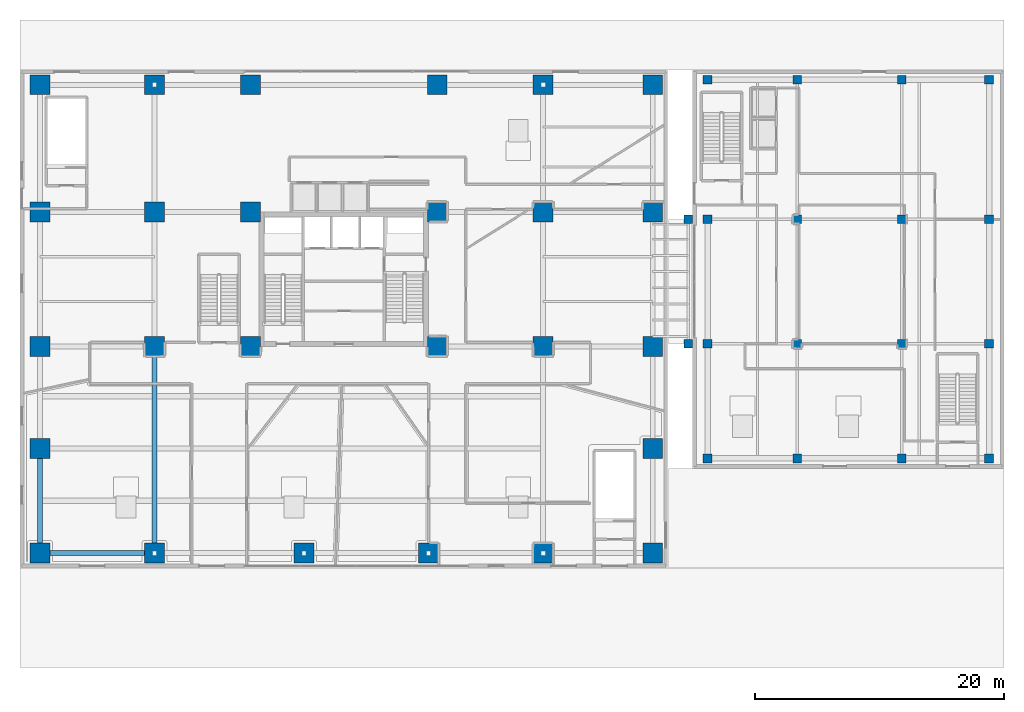
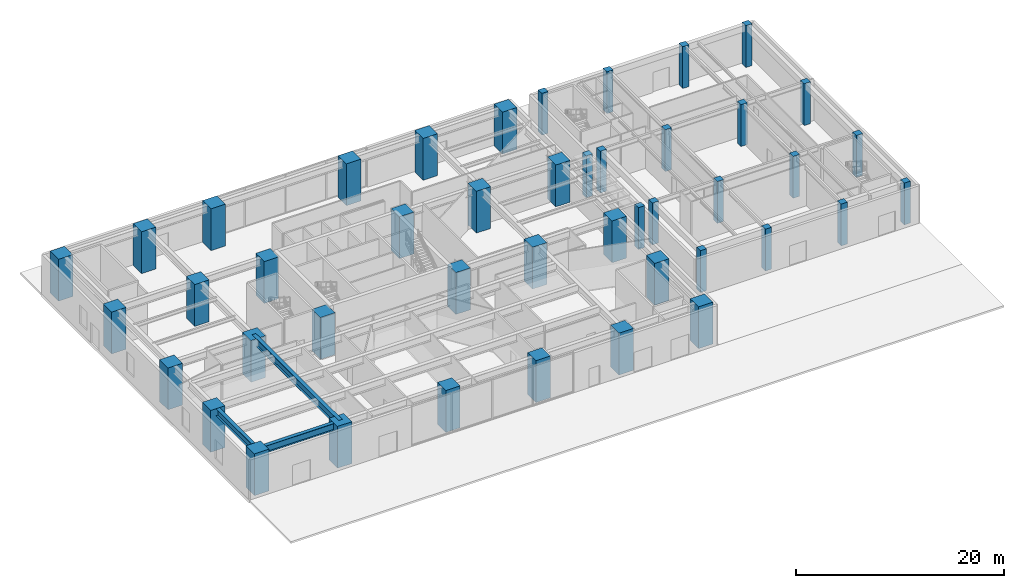
# One storey, part 1 of 28: 44 columns, 3 beams.
"""IFC4 building model written with IfcOpenShell, lengths in metres."""

from ifc_helpers import new_model, si_unit, direction, frame, origin, origin_2d, place, context, subcontext, project, spatial, rectangle, i_section, extrude, material, material_profile, profile_set, type_object, element, save


model = new_model("IFC4")

# Units and contexts
model_context = context("Model", 3, precision=1e-05, world=origin(), true_north=direction((0.0, 1.0)))
body_context = subcontext(model_context, "Body", "Model", "MODEL_VIEW")
ifc_project = project(units=[si_unit("LENGTHUNIT", "METRE"), si_unit("AREAUNIT", "SQUARE_METRE"), si_unit("VOLUMEUNIT", "CUBIC_METRE"), si_unit("PLANEANGLEUNIT", "RADIAN"), si_unit("MASSUNIT", "GRAM", prefix="KILO")], contexts=[model_context])

# Site, building, storey
site_placement = place(None, origin())
site = spatial("IfcSite", under=ifc_project, at=site_placement, CompositionType="ELEMENT")
building_placement = place(site_placement, origin())
building = spatial("IfcBuilding", under=site, at=building_placement, Name="Talar Marvaseh", CompositionType="ELEMENT")
storey_placement = place(building_placement, origin())
storey = spatial("IfcBuildingStorey", under=building, at=storey_placement, Name="L00", CompositionType="ELEMENT", Elevation=0.0)

# Columns
ifc_material_1 = material(Name="Concrete C40/50", Category="concrete")
ifc_material_profile_1 = material_profile(ifc_material_1, rectangle(XDim=0.699951171875, YDim=0.699951171875, at=origin_2d()), Name="RC700x700")
ifc_profile_set_1 = profile_set([ifc_material_profile_1], Name="Concrete C40/50")
column_type_1 = type_object("IfcColumnType", Name="Market Hall Column RC700x700", PredefinedType="COLUMN", material=ifc_profile_set_1)
for number, where, z_axis, x_axis, name in (
    (1, (55.199951171875, 16.800048828125, 0.0), (0.0, 0.0, 1.0), (1.0, 0.0, 0.0), "L00 Market Hall Column RC700x700"),
    (2, (55.199951171875, 26.0, 0.0), (0.0, 0.0, 1.0), (1.0, 0.0, 0.0), "L00 Market Hall Column RC700x700"),
    (3, (55.199951171875, 36.0, 0.0), (0.0, 0.0, 1.0), (1.0, 0.0, 0.0), "L00 Market Hall Column RC700x700"),
    (4, (55.199951171875, 47.199951171875, 0.0), (0.0, 0.0, 1.0), (1.0, 0.0, 0.0), "L00 Market Hall Column RC700x700"),
    (5, (62.39990234375, 16.800048828125, 0.0), (0.0, 0.0, 1.0), (1.0, 0.0, 0.0), "L00 Market Hall Column RC700x700"),
    (6, (62.39990234375, 26.0, 0.0), (0.0, 0.0, 1.0), (1.0, 0.0, 0.0), "L00 Market Hall Column RC700x700"),
    (7, (62.39990234375, 36.0, 0.0), (0.0, 0.0, 1.0), (1.0, 0.0, 0.0), "L00 Market Hall Column RC700x700"),
    (8, (62.39990234375, 47.199951171875, 0.0), (0.0, 0.0, 1.0), (1.0, 0.0, 0.0), "L00 Market Hall Column RC700x700"),
    (9, (70.800048828125, 16.800048828125, 0.0), (0.0, 0.0, 1.0), (1.0, 0.0, 0.0), "L00 Market Hall Column RC700x700"),
    (10, (70.800048828125, 26.0, 0.0), (0.0, 0.0, 1.0), (1.0, 0.0, 0.0), "L00 Market Hall Column RC700x700"),
    (11, (70.800048828125, 36.0, 0.0), (0.0, 0.0, 1.0), (1.0, 0.0, 0.0), "L00 Market Hall Column RC700x700"),
    (12, (70.800048828125, 47.199951171875, 0.0), (0.0, 0.0, 1.0), (1.0, 0.0, 0.0), "L00 Market Hall Column RC700x700"),
    (13, (77.800048828125, 16.800048828125, 0.0), (0.0, 0.0, 1.0), (1.0, 0.0, 0.0), "L00 Market Hall Column RC700x700"),
    (14, (77.800048828125, 26.0, 0.0), (0.0, 0.0, 1.0), (1.0, 0.0, 0.0), "L00 Market Hall Column RC700x700"),
    (15, (77.800048828125, 36.0, 0.0), (0.0, 0.0, 1.0), (1.0, 0.0, 0.0), "L00 Market Hall Column RC700x700"),
    (16, (77.800048828125, 47.199951171875, 0.0), (0.0, 0.0, 1.0), (1.0, 0.0, 0.0), "L00 Market Hall Column RC700x700"),
    (17, (53.64990234375, 26.0, 0.0), (0.0, 0.0, 1.0), (1.0, 0.0, 0.0), "L00 Link Plaza Support Pier 1"),
    (18, (53.64990234375, 36.0, 0.0), (0.0, 0.0, 1.0), (1.0, 0.0, 0.0), "L00 Link Plaza Support Pier 2"),
):
    element("IfcColumn", number, at=place(storey_placement, frame(where, z_axis=z_axis, x_axis=x_axis)), inside=storey, type_object=column_type_1, Name=name, PredefinedType="COLUMN", context=body_context, shape_type="SweptSolid", body=[
        extrude(rectangle(XDim=0.699951171875, YDim=0.699951171875, at=origin_2d()), origin(), (0.0, 0.0, 1.0), 4.89990234375),
    ])
ifc_material_2 = material(Name="Concrete C70/85", Category="concrete")
ifc_material_profile_2 = material_profile(ifc_material_2, rectangle(XDim=1.60009765625, YDim=1.60009765625, at=origin_2d()), Name="RC1600x1600")
ifc_profile_set_2 = profile_set([ifc_material_profile_2], Name="Concrete C70/85")
column_type_2 = type_object("IfcColumnType", Name="Tower Mega Column RC1600x1600", PredefinedType="COLUMN", material=ifc_profile_set_2)
for number, where, z_axis, x_axis, name in (
    (19, (1.60009765625, 9.199951171875, 0.0), (0.0, 0.0, 1.0), (1.0, 0.0, 0.0), "L00 Tower Mega Column RC1600x1600"),
    (20, (1.60009765625, 17.60009765625, 0.0), (0.0, 0.0, 1.0), (1.0, 0.0, 0.0), "L00 Tower Mega Column RC1600x1600"),
    (21, (1.60009765625, 25.800048828125, 0.0), (0.0, 0.0, 1.0), (1.0, 0.0, 0.0), "L00 Tower Mega Column RC1600x1600"),
    (22, (1.60009765625, 36.60009765625, 0.0), (0.0, 0.0, 1.0), (1.0, 0.0, 0.0), "L00 Tower Mega Column RC1600x1600"),
    (23, (1.60009765625, 46.800048828125, 0.0), (0.0, 0.0, 1.0), (1.0, 0.0, 0.0), "L00 Tower Mega Column RC1600x1600"),
    (24, (50.800048828125, 9.199951171875, 0.0), (0.0, 0.0, 1.0), (1.0, 0.0, 0.0), "L00 Tower Mega Column RC1600x1600"),
    (25, (50.800048828125, 17.60009765625, 0.0), (0.0, 0.0, 1.0), (1.0, 0.0, 0.0), "L00 Tower Mega Column RC1600x1600"),
    (26, (50.800048828125, 25.800048828125, 0.0), (0.0, 0.0, 1.0), (1.0, 0.0, 0.0), "L00 Tower Mega Column RC1600x1600"),
    (27, (50.800048828125, 36.60009765625, 0.0), (0.0, 0.0, 1.0), (1.0, 0.0, 0.0), "L00 Tower Mega Column RC1600x1600"),
    (28, (50.800048828125, 46.800048828125, 0.0), (0.0, 0.0, 1.0), (1.0, 0.0, 0.0), "L00 Tower Mega Column RC1600x1600"),
    (29, (10.800048828125, 9.199951171875, 0.0), (0.0, 0.0, 1.0), (1.0, 0.0, 0.0), "L00 Tower Mega Column RC1600x1600"),
    (30, (22.800048828125, 9.199951171875, 0.0), (0.0, 0.0, 1.0), (1.0, 0.0, 0.0), "L00 Tower Mega Column RC1600x1600"),
    (31, (32.800048828125, 9.199951171875, 0.0), (0.0, 0.0, 1.0), (1.0, 0.0, 0.0), "L00 Tower Mega Column RC1600x1600"),
    (32, (42.0, 9.199951171875, 0.0), (0.0, 0.0, 1.0), (1.0, 0.0, 0.0), "L00 Tower Mega Column RC1600x1600"),
    (33, (10.800048828125, 46.800048828125, 0.0), (0.0, 0.0, 1.0), (1.0, 0.0, 0.0), "L00 Tower Mega Column RC1600x1600"),
    (34, (18.5, 46.800048828125, 0.0), (0.0, 0.0, 1.0), (1.0, 0.0, 0.0), "L00 Tower Mega Column RC1600x1600"),
    (35, (33.5, 46.800048828125, 0.0), (0.0, 0.0, 1.0), (1.0, 0.0, 0.0), "L00 Tower Mega Column RC1600x1600"),
    (36, (42.0, 46.800048828125, 0.0), (0.0, 0.0, 1.0), (1.0, 0.0, 0.0), "L00 Tower Mega Column RC1600x1600"),
    (37, (10.800048828125, 25.800048828125, 0.0), (0.0, 0.0, 1.0), (1.0, 0.0, 0.0), "L00 Tower Mega Column RC1600x1600"),
    (38, (10.800048828125, 36.60009765625, 0.0), (0.0, 0.0, 1.0), (1.0, 0.0, 0.0), "L00 Tower Mega Column RC1600x1600"),
    (39, (18.5, 25.800048828125, 0.0), (0.0, 0.0, 1.0), (1.0, 0.0, 0.0), "L00 Tower Mega Column RC1600x1600"),
    (40, (18.5, 36.60009765625, 0.0), (0.0, 0.0, 1.0), (1.0, 0.0, 0.0), "L00 Tower Mega Column RC1600x1600"),
    (41, (33.5, 25.800048828125, 0.0), (0.0, 0.0, 1.0), (1.0, 0.0, 0.0), "L00 Tower Mega Column RC1600x1600"),
    (42, (33.5, 36.60009765625, 0.0), (0.0, 0.0, 1.0), (1.0, 0.0, 0.0), "L00 Tower Mega Column RC1600x1600"),
    (43, (42.0, 25.800048828125, 0.0), (0.0, 0.0, 1.0), (1.0, 0.0, 0.0), "L00 Tower Mega Column RC1600x1600"),
    (44, (42.0, 36.60009765625, 0.0), (0.0, 0.0, 1.0), (1.0, 0.0, 0.0), "L00 Tower Mega Column RC1600x1600"),
):
    element("IfcColumn", number, at=place(storey_placement, frame(where, z_axis=z_axis, x_axis=x_axis)), inside=storey, type_object=column_type_2, Name=name, PredefinedType="COLUMN", context=body_context, shape_type="SweptSolid", body=[
        extrude(rectangle(XDim=1.60009765625, YDim=1.60009765625, at=origin_2d()), origin(), (0.0, 0.0, 1.0), 4.89990234375),
    ])

# Beams
ifc_material_3 = material(Name="Steel S460", Category="steel")
ifc_material_profile_3 = material_profile(ifc_material_3, i_section(OverallWidth=0.41796875, OverallDepth=0.912109375, WebThickness=0.019287109375, FlangeThickness=0.031982421875, at=origin_2d()), Name="W920x342")
ifc_profile_set_3 = profile_set([ifc_material_profile_3], Name="Steel S460")
beam_type_1 = type_object("IfcBeamType", Name="Auditorium Long-Span Girder W920x342", PredefinedType="BEAM", material=ifc_profile_set_3)
beam_1_placement = place(storey_placement, frame((10.800048828125, 9.199951171875, 4.444091796875), z_axis=(0.0, 1.0, 0.0), x_axis=(-1.0, 0.0, 0.0)))
element("IfcBeam", 45, at=beam_1_placement, inside=storey, type_object=beam_type_1, Name="L00 Auditorium Long-Span Girder W920x342", PredefinedType="BEAM", context=body_context, shape_type="SweptSolid", body=[
    extrude(i_section(OverallWidth=0.41796875, OverallDepth=0.912109375, WebThickness=0.019287109375, FlangeThickness=0.031982421875, at=origin_2d()), origin(), (0.0, 0.0, 1.0), 16.60009765625),
])
ifc_material_4 = material(Name="Steel S355", Category="steel")
ifc_material_profile_4 = material_profile(ifc_material_4, i_section(OverallWidth=0.39990234375, OverallDepth=0.85498046875, WebThickness=0.018310546875, FlangeThickness=0.029296875, at=origin_2d()), Name="W840x299")
ifc_profile_set_4 = profile_set([ifc_material_profile_4], Name="Steel S355")
beam_type_2 = type_object("IfcBeamType", Name="Concourse Primary Girder W840x299", PredefinedType="BEAM", material=ifc_profile_set_4)
beam_2_placement = place(storey_placement, frame((1.60009765625, 9.199951171875, 4.472412109375), z_axis=(1.0, 0.0, 0.0), x_axis=(0.0, 1.0, 0.0)))
element("IfcBeam", 46, at=beam_2_placement, inside=storey, type_object=beam_type_2, Name="L00 Concourse Primary Girder W840x299", PredefinedType="BEAM", context=body_context, shape_type="SweptSolid", body=[
    extrude(i_section(OverallWidth=0.39990234375, OverallDepth=0.85498046875, WebThickness=0.018310546875, FlangeThickness=0.029296875, at=origin_2d()), origin(), (0.0, 0.0, 1.0), 9.199951171875),
])
beam_3_placement = place(storey_placement, frame((1.60009765625, 9.199951171875, 4.472412109375), z_axis=(0.0, 1.0, 0.0), x_axis=(-1.0, 0.0, 0.0)))
element("IfcBeam", 47, at=beam_3_placement, inside=storey, type_object=beam_type_2, Name="L00 Concourse Primary Girder W840x299", PredefinedType="BEAM", context=body_context, shape_type="SweptSolid", body=[
    extrude(i_section(OverallWidth=0.39990234375, OverallDepth=0.85498046875, WebThickness=0.018310546875, FlangeThickness=0.029296875, at=origin_2d()), origin(), (0.0, 0.0, 1.0), 8.400146484375),
])

save(model, "model.ifc")
